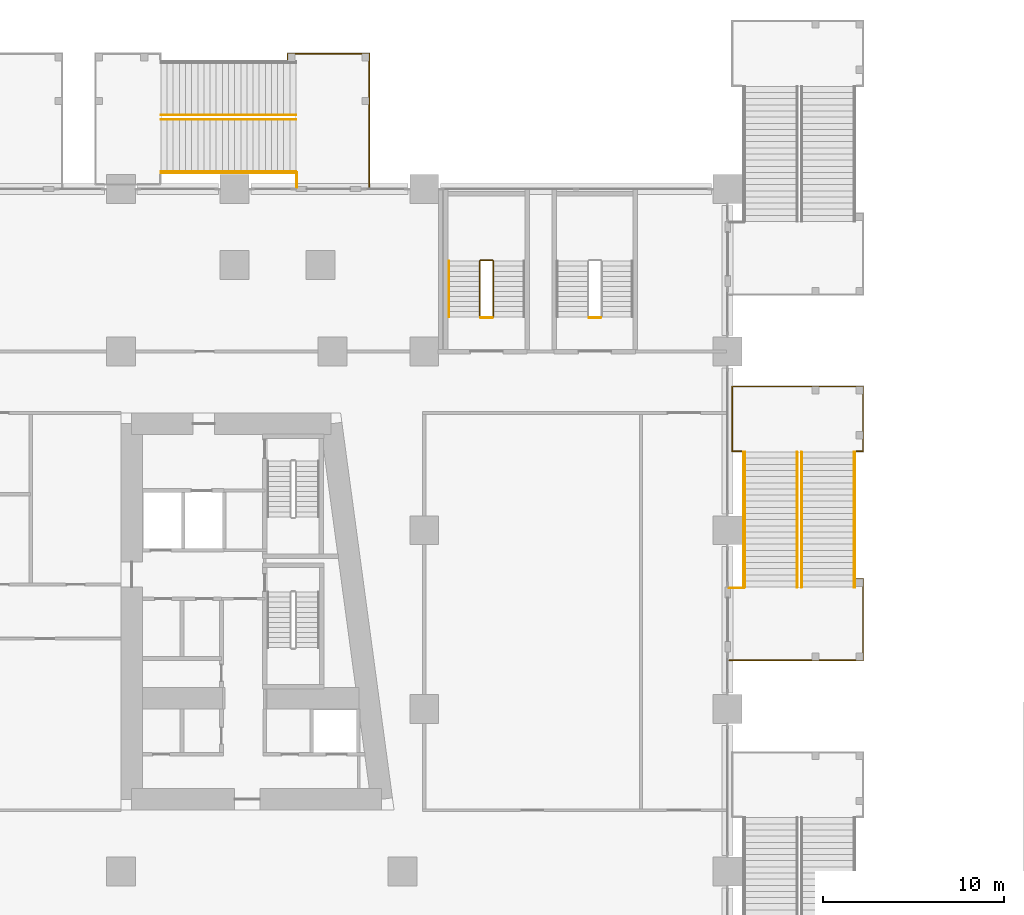
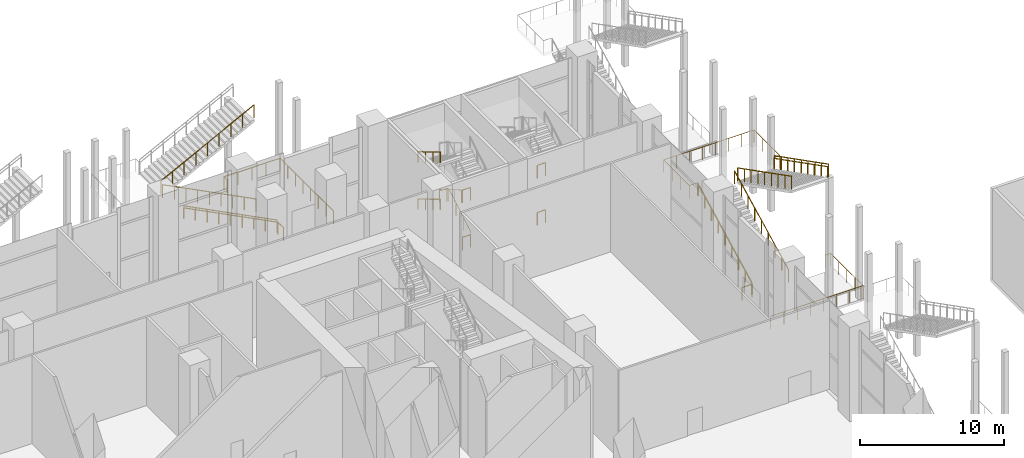
# One storey, part 48 of 52: 22 railings.
"""IFC4 building model written with IfcOpenShell, lengths in metres."""

from ifc_helpers import new_model, si_unit, direction, frame, origin, origin_2d, place, context, subcontext, project, spatial, circle, extrude, material, type_object, element, save


model = new_model("IFC4")

# Units and contexts
model_context = context("Model", 3, precision=1e-05, world=origin(), true_north=direction((0.0, 1.0)))
body_context = subcontext(model_context, "Body", "Model", "MODEL_VIEW")
ifc_project = project(units=[si_unit("LENGTHUNIT", "METRE"), si_unit("AREAUNIT", "SQUARE_METRE"), si_unit("VOLUMEUNIT", "CUBIC_METRE"), si_unit("PLANEANGLEUNIT", "RADIAN"), si_unit("MASSUNIT", "GRAM", prefix="KILO")], contexts=[model_context])

# Site, building, storey
site_placement = place(None, origin())
site = spatial("IfcSite", under=ifc_project, at=site_placement, CompositionType="ELEMENT")
building_placement = place(site_placement, origin())
building = spatial("IfcBuilding", under=site, at=building_placement, Name="Candeia Pilgrim Tower and Theatre", CompositionType="ELEMENT")
storey_placement = place(building_placement, frame((0.0, 0.0, 9.0)))
storey = spatial("IfcBuildingStorey", under=building, at=storey_placement, Name="L01", CompositionType="ELEMENT", Elevation=9.0)

# Railings
ifc_material_1 = material(Name="Stainless steel balustrade", Category="steel")
railing_type_1 = type_object("IfcRailingType", Name="RL-GUARD-1100", PredefinedType="GUARDRAIL", material=ifc_material_1)
railing_1_placement = place(storey_placement, frame((146.625, 137.72509765625, 0.166748046875)))
element("IfcRailing", 1, at=railing_1_placement, inside=storey, type_object=railing_type_1, Name="L01 PS3 stair guard 1", PredefinedType="GUARDRAIL", context=body_context, shape_type="SweptSolid", body=[
    extrude(circle(Radius=0.02392578125, at=origin_2d()), frame((0.0, 0.0, 1.076171875), z_axis=(0.0, 0.859290745958, 0.51148745235), x_axis=(-1.0, 0.0, 0.0)), (0.0, 0.0, 1.0), 3.584228515625),
    extrude(circle(Radius=0.02392578125, at=origin_2d()), frame((0.0, 3.079833984375, 2.9091796875), z_axis=(-0.707106781187, 0.707106781187, 0.0), x_axis=(-0.707106781187, -0.707106781187, 0.0)), (0.0, 0.0, 1.0), 0.07080078125),
    extrude(circle(Radius=0.02392578125, at=origin_2d()), frame((-0.050048828125, 3.1298828125, 2.9091796875), z_axis=(-1.0, 0.0, 0.0), x_axis=(0.0, -1.0, 0.0)), (0.0, 0.0, 1.0), 0.64990234375),
    extrude(circle(Radius=0.02392578125, at=origin_2d()), frame((-0.699951171875, 3.1298828125, 2.9091796875), z_axis=(-0.27628659633, -0.27628659633, 0.920506074601), x_axis=(0.707106781187, -0.707106781187, 0.0)), (0.0, 0.0, 1.0), 0.18115234375),
    extrude(circle(Radius=0.02392578125, at=origin_2d()), frame((-0.75, 3.079833984375, 3.076171875), z_axis=(0.0, -0.859290745958, 0.51148745235), x_axis=(1.0, 0.0, 0.0)), (0.0, 0.0, 1.0), 3.584228515625),
    extrude(circle(Radius=0.02099609375, at=origin_2d()), origin(), (0.0, 0.0, 1.0), 1.052001953125),
    extrude(circle(Radius=0.02099609375, at=origin_2d()), frame((0.0, 1.026611328125, 0.611083984375)), (0.0, 0.0, 1.0), 1.052001953125),
    extrude(circle(Radius=0.02099609375, at=origin_2d()), frame((0.0, 2.05322265625, 1.22216796875)), (0.0, 0.0, 1.0), 1.052001953125),
    extrude(circle(Radius=0.02099609375, at=origin_2d()), frame((0.0, 3.079833984375, 1.833251953125)), (0.0, 0.0, 1.0), 1.052001953125),
    extrude(circle(Radius=0.02099609375, at=origin_2d()), frame((-0.050048828125, 3.1298828125, 1.833251953125)), (0.0, 0.0, 1.0), 1.052001953125),
    extrude(circle(Radius=0.02099609375, at=origin_2d()), frame((-0.699951171875, 3.1298828125, 1.833251953125)), (0.0, 0.0, 1.0), 1.052001953125),
    extrude(circle(Radius=0.02099609375, at=origin_2d()), frame((-0.75, 3.079833984375, 2.0)), (0.0, 0.0, 1.0), 1.052001953125),
    extrude(circle(Radius=0.02099609375, at=origin_2d()), frame((-0.75, 2.05322265625, 2.611083984375)), (0.0, 0.0, 1.0), 1.052001953125),
    extrude(circle(Radius=0.02099609375, at=origin_2d()), frame((-0.75, 1.026611328125, 3.22216796875)), (0.0, 0.0, 1.0), 1.052001953125),
    extrude(circle(Radius=0.02099609375, at=origin_2d()), frame((-0.75, 0.0, 3.833251953125)), (0.0, 0.0, 1.0), 1.052001953125),
])
for number, where, name in (
    (2, (146.574951171875, 137.675048828125, 4.0), "L01 PS3 stair guard 2"),
    (3, (146.574951171875, 137.675048828125, 0.0), "L01 PS3 stair guard 4"),
    (4, (152.574951171875, 137.675048828125, 4.0), "L01 PS4 stair guard 2"),
    (5, (152.574951171875, 137.675048828125, 0.0), "L01 PS4 stair guard 4"),
):
    element("IfcRailing", number, at=place(storey_placement, frame(where)), inside=storey, type_object=railing_type_1, Name=name, PredefinedType="GUARDRAIL", context=body_context, shape_type="SweptSolid", body=[
        extrude(circle(Radius=0.02392578125, at=origin_2d()), frame((0.0, 0.0, 1.076171875), z_axis=(-1.0, 0.0, 0.0), x_axis=(0.0, -1.0, 0.0)), (0.0, 0.0, 1.0), 0.64990234375),
        extrude(circle(Radius=0.02099609375, at=origin_2d()), origin(), (0.0, 0.0, 1.0), 1.052001953125),
        extrude(circle(Radius=0.02099609375, at=origin_2d()), frame((-0.64990234375, 0.0, 0.0)), (0.0, 0.0, 1.0), 1.052001953125),
    ])
railing_2_placement = place(storey_placement, frame((135.699951171875, 148.64990234375, 0.173828125)))
element("IfcRailing", 6, at=railing_2_placement, inside=storey, type_object=railing_type_1, Name="L01 ES7 stair guard 1", PredefinedType="GUARDRAIL", context=body_context, shape_type="SweptSolid", body=[
    extrude(circle(Radius=0.02392578125, at=origin_2d()), frame((0.0, 0.0, 1.076171875), z_axis=(-0.890286522184, 0.0, 0.455400821714), x_axis=(0.0, -1.0, 0.0)), (0.0, 0.0, 1.0), 8.40185546875),
    extrude(circle(Radius=0.02099609375, at=origin_2d()), origin(), (0.0, 0.0, 1.0), 1.052001953125),
    extrude(circle(Radius=0.02099609375, at=origin_2d()), frame((-0.93505859375, 0.0, 0.478271484375)), (0.0, 0.0, 1.0), 1.052001953125),
    extrude(circle(Radius=0.02099609375, at=origin_2d()), frame((-1.8701171875, 0.0, 0.95654296875)), (0.0, 0.0, 1.0), 1.052001953125),
    extrude(circle(Radius=0.02099609375, at=origin_2d()), frame((-2.804931640625, 0.0, 1.434814453125)), (0.0, 0.0, 1.0), 1.052001953125),
    extrude(circle(Radius=0.02099609375, at=origin_2d()), frame((-3.739990234375, 0.0, 1.9130859375)), (0.0, 0.0, 1.0), 1.052001953125),
    extrude(circle(Radius=0.02099609375, at=origin_2d()), frame((-4.675048828125, 0.0, 2.391357421875)), (0.0, 0.0, 1.0), 1.052001953125),
    extrude(circle(Radius=0.02099609375, at=origin_2d()), frame((-5.60986328125, 0.0, 2.86962890625)), (0.0, 0.0, 1.0), 1.052001953125),
    extrude(circle(Radius=0.02099609375, at=origin_2d()), frame((-6.544921875, 0.0, 3.347900390625)), (0.0, 0.0, 1.0), 1.052001953125),
    extrude(circle(Radius=0.02099609375, at=origin_2d()), frame((-7.47998046875, 0.0, 3.826171875)), (0.0, 0.0, 1.0), 1.052001953125),
])
railing_3_placement = place(storey_placement, frame((128.219970703125, 148.89990234375, 4.173828125)))
element("IfcRailing", 7, at=railing_3_placement, inside=storey, type_object=railing_type_1, Name="L01 ES7 stair guard 2", PredefinedType="GUARDRAIL", context=body_context, shape_type="SweptSolid", body=[
    extrude(circle(Radius=0.02392578125, at=origin_2d()), frame((0.0, 0.0, 1.076171875), z_axis=(0.890286522184, 0.0, 0.455400821714), x_axis=(0.0, 1.0, 0.0)), (0.0, 0.0, 1.0), 8.40185546875),
    extrude(circle(Radius=0.02099609375, at=origin_2d()), origin(), (0.0, 0.0, 1.0), 1.052001953125),
    extrude(circle(Radius=0.02099609375, at=origin_2d()), frame((0.93505859375, 0.0, 0.478271484375)), (0.0, 0.0, 1.0), 1.052001953125),
    extrude(circle(Radius=0.02099609375, at=origin_2d()), frame((1.8701171875, 0.0, 0.95654296875)), (0.0, 0.0, 1.0), 1.052001953125),
    extrude(circle(Radius=0.02099609375, at=origin_2d()), frame((2.804931640625, 0.0, 1.434814453125)), (0.0, 0.0, 1.0), 1.052001953125),
    extrude(circle(Radius=0.02099609375, at=origin_2d()), frame((3.739990234375, 0.0, 1.9130859375)), (0.0, 0.0, 1.0), 1.052001953125),
    extrude(circle(Radius=0.02099609375, at=origin_2d()), frame((4.675048828125, 0.0, 2.391357421875)), (0.0, 0.0, 1.0), 1.052001953125),
    extrude(circle(Radius=0.02099609375, at=origin_2d()), frame((5.60986328125, 0.0, 2.86962890625)), (0.0, 0.0, 1.0), 1.052001953125),
    extrude(circle(Radius=0.02099609375, at=origin_2d()), frame((6.544921875, 0.0, 3.347900390625)), (0.0, 0.0, 1.0), 1.052001953125),
    extrude(circle(Radius=0.02099609375, at=origin_2d()), frame((7.47998046875, 0.0, 3.826171875)), (0.0, 0.0, 1.0), 1.052001953125),
])
railing_4_placement = place(storey_placement, frame((135.699951171875, 145.699951171875, 0.173828125)))
element("IfcRailing", 8, at=railing_4_placement, inside=storey, type_object=railing_type_1, Name="L01 ES7 stair guard 3", PredefinedType="GUARDRAIL", context=body_context, shape_type="SweptSolid", body=[
    extrude(circle(Radius=0.02392578125, at=origin_2d()), frame((0.0, 0.0, 1.076171875), z_axis=(-0.890286522184, 0.0, 0.455400821714), x_axis=(0.0, -1.0, 0.0)), (0.0, 0.0, 1.0), 8.40185546875),
    extrude(circle(Radius=0.02099609375, at=origin_2d()), origin(), (0.0, 0.0, 1.0), 1.052001953125),
    extrude(circle(Radius=0.02099609375, at=origin_2d()), frame((-0.93505859375, 0.0, 0.478271484375)), (0.0, 0.0, 1.0), 1.052001953125),
    extrude(circle(Radius=0.02099609375, at=origin_2d()), frame((-1.8701171875, 0.0, 0.95654296875)), (0.0, 0.0, 1.0), 1.052001953125),
    extrude(circle(Radius=0.02099609375, at=origin_2d()), frame((-2.804931640625, 0.0, 1.434814453125)), (0.0, 0.0, 1.0), 1.052001953125),
    extrude(circle(Radius=0.02099609375, at=origin_2d()), frame((-3.739990234375, 0.0, 1.9130859375)), (0.0, 0.0, 1.0), 1.052001953125),
    extrude(circle(Radius=0.02099609375, at=origin_2d()), frame((-4.675048828125, 0.0, 2.391357421875)), (0.0, 0.0, 1.0), 1.052001953125),
    extrude(circle(Radius=0.02099609375, at=origin_2d()), frame((-5.60986328125, 0.0, 2.86962890625)), (0.0, 0.0, 1.0), 1.052001953125),
    extrude(circle(Radius=0.02099609375, at=origin_2d()), frame((-6.544921875, 0.0, 3.347900390625)), (0.0, 0.0, 1.0), 1.052001953125),
    extrude(circle(Radius=0.02099609375, at=origin_2d()), frame((-7.47998046875, 0.0, 3.826171875)), (0.0, 0.0, 1.0), 1.052001953125),
])
railing_5_placement = place(storey_placement, frame((139.75, 144.89990234375, 0.0)))
element("IfcRailing", 9, at=railing_5_placement, inside=storey, type_object=railing_type_1, Name="L01 External escape stair ES7 landing guard", PredefinedType="GUARDRAIL", context=body_context, shape_type="SweptSolid", body=[
    extrude(circle(Radius=0.02392578125, at=origin_2d()), frame((0.0, 0.0, 1.076171875), z_axis=(0.0, 1.0, 0.0), x_axis=(-1.0, 0.0, 0.0)), (0.0, 0.0, 1.0), 7.400146484375),
    extrude(circle(Radius=0.02392578125, at=origin_2d()), frame((0.0, 7.400146484375, 1.076171875), z_axis=(-1.0, 0.0, 0.0), x_axis=(0.0, -1.0, 0.0)), (0.0, 0.0, 1.0), 4.5),
    extrude(circle(Radius=0.02392578125, at=origin_2d()), frame((-4.5, 7.400146484375, 1.076171875), z_axis=(0.0, -1.0, 0.0), x_axis=(1.0, 0.0, 0.0)), (0.0, 0.0, 1.0), 0.449951171875),
    extrude(circle(Radius=0.02099609375, at=origin_2d()), origin(), (0.0, 0.0, 1.0), 1.052001953125),
    extrude(circle(Radius=0.02099609375, at=origin_2d()), frame((0.0, 1.05712890625, 0.0)), (0.0, 0.0, 1.0), 1.052001953125),
    extrude(circle(Radius=0.02099609375, at=origin_2d()), frame((0.0, 2.1142578125, 0.0)), (0.0, 0.0, 1.0), 1.052001953125),
    extrude(circle(Radius=0.02099609375, at=origin_2d()), frame((0.0, 3.17138671875, 0.0)), (0.0, 0.0, 1.0), 1.052001953125),
    extrude(circle(Radius=0.02099609375, at=origin_2d()), frame((0.0, 4.228759765625, 0.0)), (0.0, 0.0, 1.0), 1.052001953125),
    extrude(circle(Radius=0.02099609375, at=origin_2d()), frame((0.0, 5.285888671875, 0.0)), (0.0, 0.0, 1.0), 1.052001953125),
    extrude(circle(Radius=0.02099609375, at=origin_2d()), frame((0.0, 6.343017578125, 0.0)), (0.0, 0.0, 1.0), 1.052001953125),
    extrude(circle(Radius=0.02099609375, at=origin_2d()), frame((0.0, 7.400146484375, 0.0)), (0.0, 0.0, 1.0), 1.052001953125),
    extrude(circle(Radius=0.02099609375, at=origin_2d()), frame((-1.125, 7.400146484375, 0.0)), (0.0, 0.0, 1.0), 1.052001953125),
    extrude(circle(Radius=0.02099609375, at=origin_2d()), frame((-2.25, 7.400146484375, 0.0)), (0.0, 0.0, 1.0), 1.052001953125),
    extrude(circle(Radius=0.02099609375, at=origin_2d()), frame((-3.375, 7.400146484375, 0.0)), (0.0, 0.0, 1.0), 1.052001953125),
    extrude(circle(Radius=0.02099609375, at=origin_2d()), frame((-4.5, 7.400146484375, 0.0)), (0.0, 0.0, 1.0), 1.052001953125),
    extrude(circle(Radius=0.02099609375, at=origin_2d()), frame((-4.5, 6.9501953125, 0.0)), (0.0, 0.0, 1.0), 1.052001953125),
])
railing_6_placement = place(storey_placement, frame((135.75, 144.89990234375, 0.0)))
element("IfcRailing", 10, at=railing_6_placement, inside=storey, type_object=railing_type_1, Name="L01 External escape stair ES7 bridge guard", PredefinedType="GUARDRAIL", context=body_context, shape_type="SweptSolid", body=[
    extrude(circle(Radius=0.02392578125, at=origin_2d()), frame((0.0, 0.0, 1.076171875), z_axis=(0.0, 1.0, 0.0), x_axis=(-1.0, 0.0, 0.0)), (0.0, 0.0, 1.0), 0.800048828125),
    extrude(circle(Radius=0.02099609375, at=origin_2d()), origin(), (0.0, 0.0, 1.0), 1.052001953125),
    extrude(circle(Radius=0.02099609375, at=origin_2d()), frame((0.0, 0.800048828125, 0.0)), (0.0, 0.0, 1.0), 1.052001953125),
])
railing_7_placement = place(storey_placement, frame((163.449951171875, 122.75, 0.173828125)))
element("IfcRailing", 11, at=railing_7_placement, inside=storey, type_object=railing_type_1, Name="L01 ES14 stair guard 1", PredefinedType="GUARDRAIL", context=body_context, shape_type="SweptSolid", body=[
    extrude(circle(Radius=0.02392578125, at=origin_2d()), frame((0.0, 0.0, 1.076171875), z_axis=(0.0, 0.890286522184, 0.455400821714), x_axis=(-1.0, 0.0, 0.0)), (0.0, 0.0, 1.0), 8.40185546875),
    extrude(circle(Radius=0.02099609375, at=origin_2d()), origin(), (0.0, 0.0, 1.0), 1.052001953125),
    extrude(circle(Radius=0.02099609375, at=origin_2d()), frame((0.0, 0.93505859375, 0.478271484375)), (0.0, 0.0, 1.0), 1.052001953125),
    extrude(circle(Radius=0.02099609375, at=origin_2d()), frame((0.0, 1.8701171875, 0.95654296875)), (0.0, 0.0, 1.0), 1.052001953125),
    extrude(circle(Radius=0.02099609375, at=origin_2d()), frame((0.0, 2.804931640625, 1.434814453125)), (0.0, 0.0, 1.0), 1.052001953125),
    extrude(circle(Radius=0.02099609375, at=origin_2d()), frame((0.0, 3.739990234375, 1.9130859375)), (0.0, 0.0, 1.0), 1.052001953125),
    extrude(circle(Radius=0.02099609375, at=origin_2d()), frame((0.0, 4.675048828125, 2.391357421875)), (0.0, 0.0, 1.0), 1.052001953125),
    extrude(circle(Radius=0.02099609375, at=origin_2d()), frame((0.0, 5.60986328125, 2.86962890625)), (0.0, 0.0, 1.0), 1.052001953125),
    extrude(circle(Radius=0.02099609375, at=origin_2d()), frame((0.0, 6.544921875, 3.347900390625)), (0.0, 0.0, 1.0), 1.052001953125),
    extrude(circle(Radius=0.02099609375, at=origin_2d()), frame((0.0, 7.47998046875, 3.826171875)), (0.0, 0.0, 1.0), 1.052001953125),
])
railing_8_placement = place(storey_placement, frame((163.699951171875, 130.22998046875, 4.173828125)))
element("IfcRailing", 12, at=railing_8_placement, inside=storey, type_object=railing_type_1, Name="L01 ES14 stair guard 2", PredefinedType="GUARDRAIL", context=body_context, shape_type="SweptSolid", body=[
    extrude(circle(Radius=0.02392578125, at=origin_2d()), frame((0.0, 0.0, 1.076171875), z_axis=(0.0, -0.890286522184, 0.455400821714), x_axis=(1.0, 0.0, 0.0)), (0.0, 0.0, 1.0), 8.40185546875),
    extrude(circle(Radius=0.02099609375, at=origin_2d()), origin(), (0.0, 0.0, 1.0), 1.052001953125),
    extrude(circle(Radius=0.02099609375, at=origin_2d()), frame((0.0, -0.93505859375, 0.478271484375)), (0.0, 0.0, 1.0), 1.052001953125),
    extrude(circle(Radius=0.02099609375, at=origin_2d()), frame((0.0, -1.8701171875, 0.95654296875)), (0.0, 0.0, 1.0), 1.052001953125),
    extrude(circle(Radius=0.02099609375, at=origin_2d()), frame((0.0, -2.804931640625, 1.434814453125)), (0.0, 0.0, 1.0), 1.052001953125),
    extrude(circle(Radius=0.02099609375, at=origin_2d()), frame((0.0, -3.739990234375, 1.9130859375)), (0.0, 0.0, 1.0), 1.052001953125),
    extrude(circle(Radius=0.02099609375, at=origin_2d()), frame((0.0, -4.675048828125, 2.391357421875)), (0.0, 0.0, 1.0), 1.052001953125),
    extrude(circle(Radius=0.02099609375, at=origin_2d()), frame((0.0, -5.60986328125, 2.86962890625)), (0.0, 0.0, 1.0), 1.052001953125),
    extrude(circle(Radius=0.02099609375, at=origin_2d()), frame((0.0, -6.544921875, 3.347900390625)), (0.0, 0.0, 1.0), 1.052001953125),
    extrude(circle(Radius=0.02099609375, at=origin_2d()), frame((0.0, -7.47998046875, 3.826171875)), (0.0, 0.0, 1.0), 1.052001953125),
])
railing_9_placement = place(storey_placement, frame((160.5, 122.75, 0.173828125)))
element("IfcRailing", 13, at=railing_9_placement, inside=storey, type_object=railing_type_1, Name="L01 ES14 stair guard 3", PredefinedType="GUARDRAIL", context=body_context, shape_type="SweptSolid", body=[
    extrude(circle(Radius=0.02392578125, at=origin_2d()), frame((0.0, 0.0, 1.076171875), z_axis=(0.0, 0.890286522184, 0.455400821714), x_axis=(-1.0, 0.0, 0.0)), (0.0, 0.0, 1.0), 8.40185546875),
    extrude(circle(Radius=0.02099609375, at=origin_2d()), origin(), (0.0, 0.0, 1.0), 1.052001953125),
    extrude(circle(Radius=0.02099609375, at=origin_2d()), frame((0.0, 0.93505859375, 0.478271484375)), (0.0, 0.0, 1.0), 1.052001953125),
    extrude(circle(Radius=0.02099609375, at=origin_2d()), frame((0.0, 1.8701171875, 0.95654296875)), (0.0, 0.0, 1.0), 1.052001953125),
    extrude(circle(Radius=0.02099609375, at=origin_2d()), frame((0.0, 2.804931640625, 1.434814453125)), (0.0, 0.0, 1.0), 1.052001953125),
    extrude(circle(Radius=0.02099609375, at=origin_2d()), frame((0.0, 3.739990234375, 1.9130859375)), (0.0, 0.0, 1.0), 1.052001953125),
    extrude(circle(Radius=0.02099609375, at=origin_2d()), frame((0.0, 4.675048828125, 2.391357421875)), (0.0, 0.0, 1.0), 1.052001953125),
    extrude(circle(Radius=0.02099609375, at=origin_2d()), frame((0.0, 5.60986328125, 2.86962890625)), (0.0, 0.0, 1.0), 1.052001953125),
    extrude(circle(Radius=0.02099609375, at=origin_2d()), frame((0.0, 6.544921875, 3.347900390625)), (0.0, 0.0, 1.0), 1.052001953125),
    extrude(circle(Radius=0.02099609375, at=origin_2d()), frame((0.0, 7.47998046875, 3.826171875)), (0.0, 0.0, 1.0), 1.052001953125),
])
railing_10_placement = place(storey_placement, frame((166.64990234375, 130.22998046875, 4.173828125)))
element("IfcRailing", 14, at=railing_10_placement, inside=storey, type_object=railing_type_1, Name="L01 ES14 stair guard 4", PredefinedType="GUARDRAIL", context=body_context, shape_type="SweptSolid", body=[
    extrude(circle(Radius=0.02392578125, at=origin_2d()), frame((0.0, 0.0, 1.076171875), z_axis=(0.0, -0.890286522184, 0.455400821714), x_axis=(1.0, 0.0, 0.0)), (0.0, 0.0, 1.0), 8.40185546875),
    extrude(circle(Radius=0.02099609375, at=origin_2d()), origin(), (0.0, 0.0, 1.0), 1.052001953125),
    extrude(circle(Radius=0.02099609375, at=origin_2d()), frame((0.0, -0.93505859375, 0.478271484375)), (0.0, 0.0, 1.0), 1.052001953125),
    extrude(circle(Radius=0.02099609375, at=origin_2d()), frame((0.0, -1.8701171875, 0.95654296875)), (0.0, 0.0, 1.0), 1.052001953125),
    extrude(circle(Radius=0.02099609375, at=origin_2d()), frame((0.0, -2.804931640625, 1.434814453125)), (0.0, 0.0, 1.0), 1.052001953125),
    extrude(circle(Radius=0.02099609375, at=origin_2d()), frame((0.0, -3.739990234375, 1.9130859375)), (0.0, 0.0, 1.0), 1.052001953125),
    extrude(circle(Radius=0.02099609375, at=origin_2d()), frame((0.0, -4.675048828125, 2.391357421875)), (0.0, 0.0, 1.0), 1.052001953125),
    extrude(circle(Radius=0.02099609375, at=origin_2d()), frame((0.0, -5.60986328125, 2.86962890625)), (0.0, 0.0, 1.0), 1.052001953125),
    extrude(circle(Radius=0.02099609375, at=origin_2d()), frame((0.0, -6.544921875, 3.347900390625)), (0.0, 0.0, 1.0), 1.052001953125),
    extrude(circle(Radius=0.02099609375, at=origin_2d()), frame((0.0, -7.47998046875, 3.826171875)), (0.0, 0.0, 1.0), 1.052001953125),
])
railing_11_placement = place(storey_placement, frame((160.5, 130.280029296875, 4.0)))
element("IfcRailing", 15, at=railing_11_placement, inside=storey, type_object=railing_type_1, Name="L01 ES14 stair guard 5", PredefinedType="GUARDRAIL", context=body_context, shape_type="SweptSolid", body=[
    extrude(circle(Radius=0.02392578125, at=origin_2d()), frame((0.0, 0.0, 1.076171875), z_axis=(-1.0, 0.0, 0.0), x_axis=(0.0, -1.0, 0.0)), (0.0, 0.0, 1.0), 0.64990234375),
    extrude(circle(Radius=0.02392578125, at=origin_2d()), frame((-0.64990234375, 0.0, 1.076171875), z_axis=(0.0, 1.0, 0.0), x_axis=(-1.0, 0.0, 0.0)), (0.0, 0.0, 1.0), 3.580078125),
    extrude(circle(Radius=0.02392578125, at=origin_2d()), frame((-0.64990234375, 3.580078125, 1.076171875), z_axis=(1.0, 0.0, 0.0), x_axis=(0.0, 1.0, 0.0)), (0.0, 0.0, 1.0), 7.25),
    extrude(circle(Radius=0.02392578125, at=origin_2d()), frame((6.60009765625, 3.580078125, 1.076171875), z_axis=(0.0, -1.0, 0.0), x_axis=(1.0, 0.0, 0.0)), (0.0, 0.0, 1.0), 3.580078125),
    extrude(circle(Radius=0.02392578125, at=origin_2d()), frame((6.60009765625, 0.0, 1.076171875), z_axis=(-1.0, 0.0, 0.0), x_axis=(0.0, -1.0, 0.0)), (0.0, 0.0, 1.0), 0.4501953125),
    extrude(circle(Radius=0.02099609375, at=origin_2d()), origin(), (0.0, 0.0, 1.0), 1.052001953125),
    extrude(circle(Radius=0.02099609375, at=origin_2d()), frame((-0.64990234375, 0.0, 0.0)), (0.0, 0.0, 1.0), 1.052001953125),
    extrude(circle(Radius=0.02099609375, at=origin_2d()), frame((-0.64990234375, 1.193359375, 0.0)), (0.0, 0.0, 1.0), 1.052001953125),
    extrude(circle(Radius=0.02099609375, at=origin_2d()), frame((-0.64990234375, 2.38671875, 0.0)), (0.0, 0.0, 1.0), 1.052001953125),
    extrude(circle(Radius=0.02099609375, at=origin_2d()), frame((-0.64990234375, 3.580078125, 0.0)), (0.0, 0.0, 1.0), 1.052001953125),
    extrude(circle(Radius=0.02099609375, at=origin_2d()), frame((0.3857421875, 3.580078125, 0.0)), (0.0, 0.0, 1.0), 1.052001953125),
    extrude(circle(Radius=0.02099609375, at=origin_2d()), frame((1.421630859375, 3.580078125, 0.0)), (0.0, 0.0, 1.0), 1.052001953125),
    extrude(circle(Radius=0.02099609375, at=origin_2d()), frame((2.457275390625, 3.580078125, 0.0)), (0.0, 0.0, 1.0), 1.052001953125),
    extrude(circle(Radius=0.02099609375, at=origin_2d()), frame((3.492919921875, 3.580078125, 0.0)), (0.0, 0.0, 1.0), 1.052001953125),
    extrude(circle(Radius=0.02099609375, at=origin_2d()), frame((4.528564453125, 3.580078125, 0.0)), (0.0, 0.0, 1.0), 1.052001953125),
    extrude(circle(Radius=0.02099609375, at=origin_2d()), frame((5.564453125, 3.580078125, 0.0)), (0.0, 0.0, 1.0), 1.052001953125),
    extrude(circle(Radius=0.02099609375, at=origin_2d()), frame((6.60009765625, 3.580078125, 0.0)), (0.0, 0.0, 1.0), 1.052001953125),
    extrude(circle(Radius=0.02099609375, at=origin_2d()), frame((6.60009765625, 2.38671875, 0.0)), (0.0, 0.0, 1.0), 1.052001953125),
    extrude(circle(Radius=0.02099609375, at=origin_2d()), frame((6.60009765625, 1.193359375, 0.0)), (0.0, 0.0, 1.0), 1.052001953125),
    extrude(circle(Radius=0.02099609375, at=origin_2d()), frame((6.60009765625, 0.0, 0.0)), (0.0, 0.0, 1.0), 1.052001953125),
    extrude(circle(Radius=0.02099609375, at=origin_2d()), frame((6.14990234375, 0.0, 0.0)), (0.0, 0.0, 1.0), 1.052001953125),
])
railing_12_placement = place(storey_placement, frame((159.699951171875, 118.699951171875, 0.0)))
element("IfcRailing", 16, at=railing_12_placement, inside=storey, type_object=railing_type_1, Name="L01 External escape stair ES14 landing guard", PredefinedType="GUARDRAIL", context=body_context, shape_type="SweptSolid", body=[
    extrude(circle(Radius=0.02392578125, at=origin_2d()), frame((0.0, 0.0, 1.076171875), z_axis=(1.0, 0.0, 0.0), x_axis=(0.0, 1.0, 0.0)), (0.0, 0.0, 1.0), 7.400146484375),
    extrude(circle(Radius=0.02392578125, at=origin_2d()), frame((7.400146484375, 0.0, 1.076171875), z_axis=(0.0, 1.0, 0.0), x_axis=(-1.0, 0.0, 0.0)), (0.0, 0.0, 1.0), 4.5),
    extrude(circle(Radius=0.02392578125, at=origin_2d()), frame((7.400146484375, 4.5, 1.076171875), z_axis=(-1.0, 0.0, 0.0), x_axis=(0.0, -1.0, 0.0)), (0.0, 0.0, 1.0), 0.4501953125),
    extrude(circle(Radius=0.02099609375, at=origin_2d()), origin(), (0.0, 0.0, 1.0), 1.052001953125),
    extrude(circle(Radius=0.02099609375, at=origin_2d()), frame((1.05712890625, 0.0, 0.0)), (0.0, 0.0, 1.0), 1.052001953125),
    extrude(circle(Radius=0.02099609375, at=origin_2d()), frame((2.1142578125, 0.0, 0.0)), (0.0, 0.0, 1.0), 1.052001953125),
    extrude(circle(Radius=0.02099609375, at=origin_2d()), frame((3.17138671875, 0.0, 0.0)), (0.0, 0.0, 1.0), 1.052001953125),
    extrude(circle(Radius=0.02099609375, at=origin_2d()), frame((4.228759765625, 0.0, 0.0)), (0.0, 0.0, 1.0), 1.052001953125),
    extrude(circle(Radius=0.02099609375, at=origin_2d()), frame((5.285888671875, 0.0, 0.0)), (0.0, 0.0, 1.0), 1.052001953125),
    extrude(circle(Radius=0.02099609375, at=origin_2d()), frame((6.343017578125, 0.0, 0.0)), (0.0, 0.0, 1.0), 1.052001953125),
    extrude(circle(Radius=0.02099609375, at=origin_2d()), frame((7.400146484375, 0.0, 0.0)), (0.0, 0.0, 1.0), 1.052001953125),
    extrude(circle(Radius=0.02099609375, at=origin_2d()), frame((7.400146484375, 1.125, 0.0)), (0.0, 0.0, 1.0), 1.052001953125),
    extrude(circle(Radius=0.02099609375, at=origin_2d()), frame((7.400146484375, 2.25, 0.0)), (0.0, 0.0, 1.0), 1.052001953125),
    extrude(circle(Radius=0.02099609375, at=origin_2d()), frame((7.400146484375, 3.375, 0.0)), (0.0, 0.0, 1.0), 1.052001953125),
    extrude(circle(Radius=0.02099609375, at=origin_2d()), frame((7.400146484375, 4.5, 0.0)), (0.0, 0.0, 1.0), 1.052001953125),
    extrude(circle(Radius=0.02099609375, at=origin_2d()), frame((6.949951171875, 4.5, 0.0)), (0.0, 0.0, 1.0), 1.052001953125),
])
railing_13_placement = place(storey_placement, frame((159.699951171875, 122.699951171875, 0.0)))
element("IfcRailing", 17, at=railing_13_placement, inside=storey, type_object=railing_type_1, Name="L01 External escape stair ES14 bridge guard", PredefinedType="GUARDRAIL", context=body_context, shape_type="SweptSolid", body=[
    extrude(circle(Radius=0.02392578125, at=origin_2d()), frame((0.0, 0.0, 1.076171875), z_axis=(1.0, 0.0, 0.0), x_axis=(0.0, 1.0, 0.0)), (0.0, 0.0, 1.0), 0.800048828125),
    extrude(circle(Radius=0.02099609375, at=origin_2d()), origin(), (0.0, 0.0, 1.0), 1.052001953125),
    extrude(circle(Radius=0.02099609375, at=origin_2d()), frame((0.800048828125, 0.0, 0.0)), (0.0, 0.0, 1.0), 1.052001953125),
])
ifc_material_2 = material(Name="Stainless steel handrail", Category="steel")
railing_type_2 = type_object("IfcRailingType", Name="RL-HANDRAIL-900", PredefinedType="HANDRAIL", material=ifc_material_2)
for number, where, name in (
    (18, (144.175048828125, 140.804931640625, 2.166748046875), "L01 PS3 stair handrail 2"),
    (19, (144.175048828125, 140.804931640625, 6.166748046875), "L01 PS3 stair handrail 4"),
):
    element("IfcRailing", number, at=place(storey_placement, frame(where)), inside=storey, type_object=railing_type_2, Name=name, PredefinedType="HANDRAIL", context=body_context, shape_type="SweptSolid", body=[
        extrude(circle(Radius=0.02392578125, at=origin_2d()), frame((0.0, 0.0, 0.8759765625), z_axis=(0.0, -0.859290745958, 0.51148745235), x_axis=(1.0, 0.0, 0.0)), (0.0, 0.0, 1.0), 3.584228515625),
        extrude(circle(Radius=0.02099609375, at=origin_2d()), origin(), (0.0, 0.0, 1.0), 0.851806640625),
        extrude(circle(Radius=0.02099609375, at=origin_2d()), frame((0.0, -1.026611328125, 0.611083984375)), (0.0, 0.0, 1.0), 0.851806640625),
        extrude(circle(Radius=0.02099609375, at=origin_2d()), frame((0.0, -2.05322265625, 1.22216796875)), (0.0, 0.0, 1.0), 0.851806640625),
        extrude(circle(Radius=0.02099609375, at=origin_2d()), frame((0.0, -3.079833984375, 1.833251953125)), (0.0, 0.0, 1.0), 0.851806640625),
    ])
railing_14_placement = place(storey_placement, frame((135.699951171875, 145.75, 0.173828125)))
element("IfcRailing", 20, at=railing_14_placement, inside=storey, type_object=railing_type_2, Name="L01 ES7 stair handrail 1", PredefinedType="HANDRAIL", context=body_context, shape_type="SweptSolid", body=[
    extrude(circle(Radius=0.02392578125, at=origin_2d()), frame((0.0, 0.0, 0.8759765625), z_axis=(-0.890286522184, 0.0, 0.455400821714), x_axis=(0.0, -1.0, 0.0)), (0.0, 0.0, 1.0), 8.40185546875),
    extrude(circle(Radius=0.02099609375, at=origin_2d()), origin(), (0.0, 0.0, 1.0), 0.851806640625),
    extrude(circle(Radius=0.02099609375, at=origin_2d()), frame((-0.93505859375, 0.0, 0.478271484375)), (0.0, 0.0, 1.0), 0.851806640625),
    extrude(circle(Radius=0.02099609375, at=origin_2d()), frame((-1.8701171875, 0.0, 0.95654296875)), (0.0, 0.0, 1.0), 0.851806640625),
    extrude(circle(Radius=0.02099609375, at=origin_2d()), frame((-2.804931640625, 0.0, 1.434814453125)), (0.0, 0.0, 1.0), 0.851806640625),
    extrude(circle(Radius=0.02099609375, at=origin_2d()), frame((-3.739990234375, 0.0, 1.9130859375)), (0.0, 0.0, 1.0), 0.851806640625),
    extrude(circle(Radius=0.02099609375, at=origin_2d()), frame((-4.675048828125, 0.0, 2.391357421875)), (0.0, 0.0, 1.0), 0.851806640625),
    extrude(circle(Radius=0.02099609375, at=origin_2d()), frame((-5.60986328125, 0.0, 2.86962890625)), (0.0, 0.0, 1.0), 0.851806640625),
    extrude(circle(Radius=0.02099609375, at=origin_2d()), frame((-6.544921875, 0.0, 3.347900390625)), (0.0, 0.0, 1.0), 0.851806640625),
    extrude(circle(Radius=0.02099609375, at=origin_2d()), frame((-7.47998046875, 0.0, 3.826171875)), (0.0, 0.0, 1.0), 0.851806640625),
])
railing_15_placement = place(storey_placement, frame((160.550048828125, 122.75, 0.173828125)))
element("IfcRailing", 21, at=railing_15_placement, inside=storey, type_object=railing_type_2, Name="L01 ES14 stair handrail 1", PredefinedType="HANDRAIL", context=body_context, shape_type="SweptSolid", body=[
    extrude(circle(Radius=0.02392578125, at=origin_2d()), frame((0.0, 0.0, 0.8759765625), z_axis=(0.0, 0.890286522184, 0.455400821714), x_axis=(-1.0, 0.0, 0.0)), (0.0, 0.0, 1.0), 8.40185546875),
    extrude(circle(Radius=0.02099609375, at=origin_2d()), origin(), (0.0, 0.0, 1.0), 0.851806640625),
    extrude(circle(Radius=0.02099609375, at=origin_2d()), frame((0.0, 0.93505859375, 0.478271484375)), (0.0, 0.0, 1.0), 0.851806640625),
    extrude(circle(Radius=0.02099609375, at=origin_2d()), frame((0.0, 1.8701171875, 0.95654296875)), (0.0, 0.0, 1.0), 0.851806640625),
    extrude(circle(Radius=0.02099609375, at=origin_2d()), frame((0.0, 2.804931640625, 1.434814453125)), (0.0, 0.0, 1.0), 0.851806640625),
    extrude(circle(Radius=0.02099609375, at=origin_2d()), frame((0.0, 3.739990234375, 1.9130859375)), (0.0, 0.0, 1.0), 0.851806640625),
    extrude(circle(Radius=0.02099609375, at=origin_2d()), frame((0.0, 4.675048828125, 2.391357421875)), (0.0, 0.0, 1.0), 0.851806640625),
    extrude(circle(Radius=0.02099609375, at=origin_2d()), frame((0.0, 5.60986328125, 2.86962890625)), (0.0, 0.0, 1.0), 0.851806640625),
    extrude(circle(Radius=0.02099609375, at=origin_2d()), frame((0.0, 6.544921875, 3.347900390625)), (0.0, 0.0, 1.0), 0.851806640625),
    extrude(circle(Radius=0.02099609375, at=origin_2d()), frame((0.0, 7.47998046875, 3.826171875)), (0.0, 0.0, 1.0), 0.851806640625),
])
railing_16_placement = place(storey_placement, frame((166.60009765625, 130.22998046875, 4.173828125)))
element("IfcRailing", 22, at=railing_16_placement, inside=storey, type_object=railing_type_2, Name="L01 ES14 stair handrail 2", PredefinedType="HANDRAIL", context=body_context, shape_type="SweptSolid", body=[
    extrude(circle(Radius=0.02392578125, at=origin_2d()), frame((0.0, 0.0, 0.8759765625), z_axis=(0.0, -0.890286522184, 0.455400821714), x_axis=(1.0, 0.0, 0.0)), (0.0, 0.0, 1.0), 8.40185546875),
    extrude(circle(Radius=0.02099609375, at=origin_2d()), origin(), (0.0, 0.0, 1.0), 0.851806640625),
    extrude(circle(Radius=0.02099609375, at=origin_2d()), frame((0.0, -0.93505859375, 0.478271484375)), (0.0, 0.0, 1.0), 0.851806640625),
    extrude(circle(Radius=0.02099609375, at=origin_2d()), frame((0.0, -1.8701171875, 0.95654296875)), (0.0, 0.0, 1.0), 0.851806640625),
    extrude(circle(Radius=0.02099609375, at=origin_2d()), frame((0.0, -2.804931640625, 1.434814453125)), (0.0, 0.0, 1.0), 0.851806640625),
    extrude(circle(Radius=0.02099609375, at=origin_2d()), frame((0.0, -3.739990234375, 1.9130859375)), (0.0, 0.0, 1.0), 0.851806640625),
    extrude(circle(Radius=0.02099609375, at=origin_2d()), frame((0.0, -4.675048828125, 2.391357421875)), (0.0, 0.0, 1.0), 0.851806640625),
    extrude(circle(Radius=0.02099609375, at=origin_2d()), frame((0.0, -5.60986328125, 2.86962890625)), (0.0, 0.0, 1.0), 0.851806640625),
    extrude(circle(Radius=0.02099609375, at=origin_2d()), frame((0.0, -6.544921875, 3.347900390625)), (0.0, 0.0, 1.0), 0.851806640625),
    extrude(circle(Radius=0.02099609375, at=origin_2d()), frame((0.0, -7.47998046875, 3.826171875)), (0.0, 0.0, 1.0), 0.851806640625),
])

save(model, "model.ifc")
